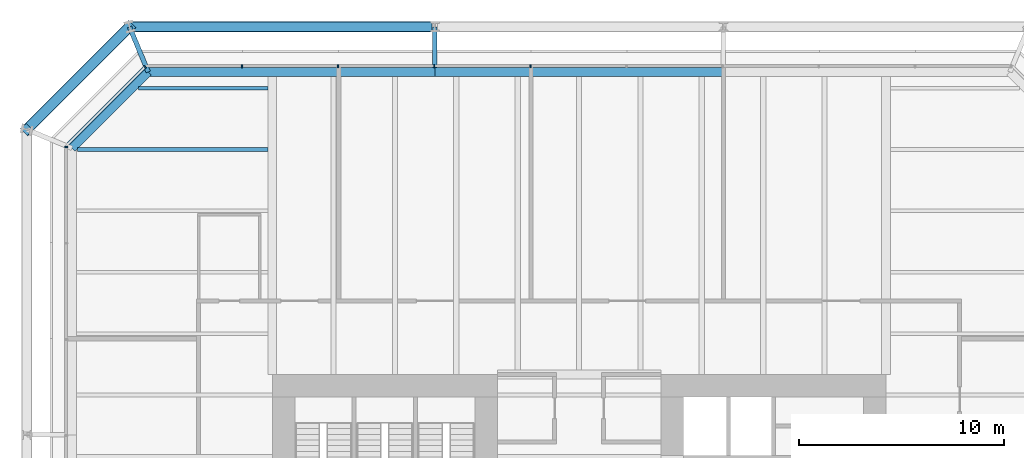
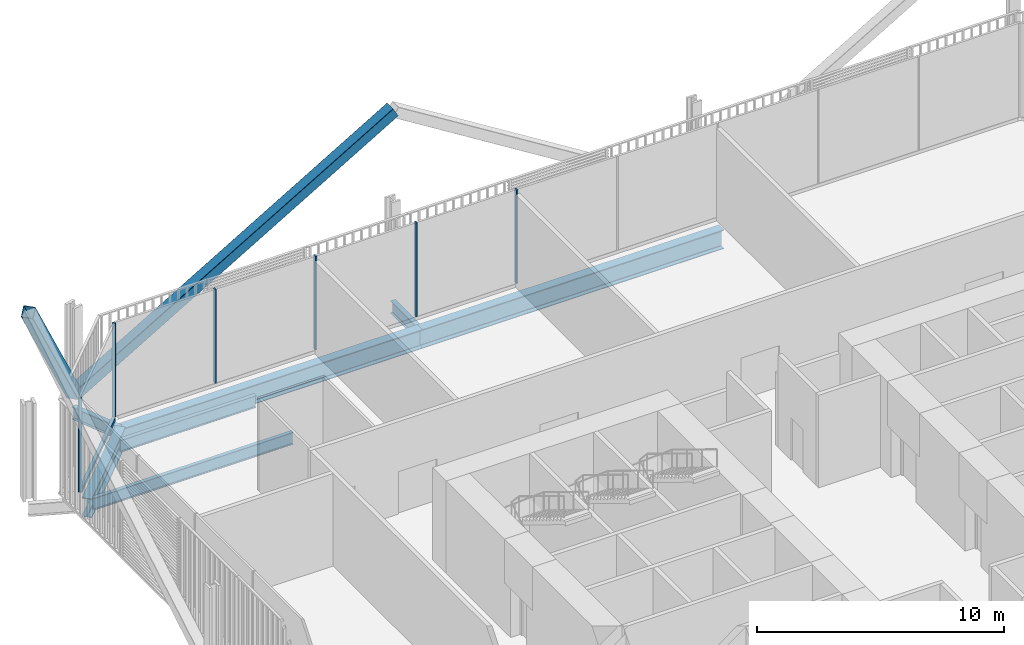
# One storey, part 14 of 22: 9 members, 7 beams, 3 elements without a shape of their own.
"""IFC4 building model written with IfcOpenShell, lengths in metres."""

from ifc_helpers import new_model, si_unit, direction, frame, origin, origin_2d, place, context, subcontext, project, spatial, rectangle, hollow_rectangle, i_section, extrude, material, layer, layer_set, material_profile, profile_set, type_object, element, aggregate, save


model = new_model("IFC4")

# Units and contexts
model_context = context("Model", 3, precision=1e-05, world=origin(), true_north=direction((0.0, 1.0)))
body_context = subcontext(model_context, "Body", "Model", "MODEL_VIEW")
ifc_project = project(units=[si_unit("LENGTHUNIT", "METRE"), si_unit("AREAUNIT", "SQUARE_METRE"), si_unit("VOLUMEUNIT", "CUBIC_METRE"), si_unit("PLANEANGLEUNIT", "RADIAN"), si_unit("MASSUNIT", "GRAM", prefix="KILO")], contexts=[model_context])

# Site, building, storey
site_placement = place(None, origin())
site = spatial("IfcSite", under=ifc_project, at=site_placement, CompositionType="ELEMENT")
building_placement = place(site_placement, origin())
building = spatial("IfcBuilding", under=site, at=building_placement, Name="Millrace Tower", CompositionType="ELEMENT")
storey_placement = place(building_placement, frame((0.0, 0.0, 35.300048828125)))
storey = spatial("IfcBuildingStorey", under=building, at=storey_placement, Name="L08", CompositionType="ELEMENT", Elevation=35.300048828125)

# Curtain wall, members
ifc_material_1 = material(Name="Aluminium and glass", Category="aluminium")
ifc_layer = layer(ifc_material_1, 0.14990234375)
ifc_layer_set = layer_set([ifc_layer], Name="Aluminium and glass")
curtain_wall_type = type_object("IfcCurtainWallType", Name="CW-2 data hall insulated curtain wall", PredefinedType="NOTDEFINED", material=ifc_layer_set)
placement = place(storey_placement, origin())
curtain_wall_1 = element("IfcCurtainWall", 1, at=placement, inside=storey, type_object=curtain_wall_type, Name="Curtain wall A-F06 L08", PredefinedType="NOTDEFINED")
ifc_material_2 = material(Name="Aluminium", Category="aluminium")
ifc_material_profile_1 = material_profile(ifc_material_2, rectangle(XDim=0.06494140625, YDim=0.14990234375, at=origin_2d()))
ifc_profile_set_1 = profile_set([ifc_material_profile_1], Name="Aluminium")
member_type_1 = type_object("IfcMemberType", Name="CW-2 data hall insulated curtain wall mullion", PredefinedType="MULLION", material=ifc_profile_set_1)
member_1_placement = place(storey_placement, frame((-2.382568359375, 25.074951171875, 0.159912109375), z_axis=(0.0, 0.0, 1.0), x_axis=(-1.0, 0.0, 0.0)))
member_1 = element("IfcMember", 2, at=member_1_placement, type_object=member_type_1, Name="CW2 mullion A-F06.6", PredefinedType="MULLION", context=body_context, shape_type="SweptSolid", body=[
    extrude(rectangle(XDim=0.06494140625, YDim=0.14990234375, at=origin_2d()), origin(), (0.0, 0.0, 1.0), 4.64013671875),
])
member_2_placement = place(storey_placement, frame((-7.08251953125, 25.074951171875, 0.159912109375), z_axis=(0.0, 0.0, 1.0), x_axis=(-1.0, 0.0, 0.0)))
member_2 = element("IfcMember", 3, at=member_2_placement, type_object=member_type_1, Name="CW2 mullion A-F06.7", PredefinedType="MULLION", context=body_context, shape_type="SweptSolid", body=[
    extrude(rectangle(XDim=0.06494140625, YDim=0.14990234375, at=origin_2d()), origin(), (0.0, 0.0, 1.0), 4.64013671875),
])
member_3_placement = place(storey_placement, frame((-11.782470703125, 25.074951171875, 0.159912109375), z_axis=(0.0, 0.0, 1.0), x_axis=(-1.0, 0.0, 0.0)))
member_3 = element("IfcMember", 4, at=member_3_placement, type_object=member_type_1, Name="CW2 mullion A-F06.8", PredefinedType="MULLION", context=body_context, shape_type="SweptSolid", body=[
    extrude(rectangle(XDim=0.06494140625, YDim=0.14990234375, at=origin_2d()), origin(), (0.0, 0.0, 1.0), 4.64013671875),
])
member_4_placement = place(storey_placement, frame((-16.482421875, 25.074951171875, 0.159912109375), z_axis=(0.0, 0.0, 1.0), x_axis=(-1.0, 0.0, 0.0)))
member_4 = element("IfcMember", 5, at=member_4_placement, type_object=member_type_1, Name="CW2 mullion A-F06.9", PredefinedType="MULLION", context=body_context, shape_type="SweptSolid", body=[
    extrude(rectangle(XDim=0.06494140625, YDim=0.14990234375, at=origin_2d()), origin(), (0.0, 0.0, 1.0), 4.64013671875),
])
aggregate(curtain_wall_1, [member_1, member_2, member_3, member_4])

# Curtain wall, member
curtain_wall_2 = element("IfcCurtainWall", 6, at=placement, inside=storey, type_object=curtain_wall_type, Name="Curtain wall A-F07 L08", PredefinedType="NOTDEFINED")
member_5_placement = place(storey_placement, frame((-21.22607421875, 25.030029296875, 0.159912109375), z_axis=(0.0, 0.0, 1.0), x_axis=(-0.707106781187, -0.707106781187, 0.0)))
member_5 = element("IfcMember", 7, at=member_5_placement, type_object=member_type_1, Name="CW2 mullion A-F07.1", PredefinedType="MULLION", context=body_context, shape_type="SweptSolid", body=[
    extrude(rectangle(XDim=0.06494140625, YDim=0.14990234375, at=origin_2d()), origin(), (0.0, 0.0, 1.0), 4.64013671875),
])

curtain_wall_3 = element("IfcCurtainWall", 8, at=placement, inside=storey, type_object=curtain_wall_type, Name="Curtain wall A-F08 L08", PredefinedType="NOTDEFINED")
member_6_placement = place(storey_placement, frame((-25.074951171875, 21.117431640625, 0.159912109375), z_axis=(0.0, 0.0, 1.0), x_axis=(0.0, -1.0, 0.0)))
member_6 = element("IfcMember", 9, at=member_6_placement, type_object=member_type_1, Name="CW2 mullion A-F08.1", PredefinedType="MULLION", context=body_context, shape_type="SweptSolid", body=[
    extrude(rectangle(XDim=0.06494140625, YDim=0.14990234375, at=origin_2d()), origin(), (0.0, 0.0, 1.0), 4.64013671875),
])
aggregate(curtain_wall_3, [member_6])

# Member
ifc_material_3 = material(Name="Aluminium", Category="aluminium")
ifc_material_profile_2 = material_profile(ifc_material_3, rectangle(XDim=0.14990234375, YDim=0.159912109375, at=origin_2d()))
ifc_profile_set_2 = profile_set([ifc_material_profile_2], Name="Aluminium")
member_type_2 = type_object("IfcMemberType", Name="CW-2 data hall insulated curtain wall transom", PredefinedType="USERDEFINED", material=ifc_profile_set_2)
member_7_placement = place(storey_placement, frame((-21.273681640625, 24.982421875, 0.079833984375), z_axis=(-0.707106781187, -0.707106781187, 0.0), x_axis=(0.707106781187, -0.707106781187, 0.0)))
member_7 = element("IfcMember", 10, at=member_7_placement, type_object=member_type_2, Name="CW2 transom A-F07.1", ObjectType="TRANSOM", PredefinedType="USERDEFINED", context=body_context, shape_type="SweptSolid", body=[
    extrude(rectangle(XDim=0.14990234375, YDim=0.159912109375, at=origin_2d()), origin(), (0.0, 0.0, 1.0), 5.244873046875),
])

aggregate(curtain_wall_2, [member_5, member_7])

# Members
ifc_material_4 = material(Name="Steel ASTM A500 Grade C", Category="steel")
ifc_material_profile_3 = material_profile(ifc_material_4, hollow_rectangle(XDim=0.508056640625, YDim=0.508056640625, WallThickness=0.01904296875, InnerFilletRadius=0.009521484375, OuterFilletRadius=0.028564453125, at=origin_2d()))
ifc_profile_set_3 = profile_set([ifc_material_profile_3], Name="Steel ASTM A500 Grade C")
member_type_3 = type_object("IfcMemberType", Name="Exoskeleton brace HSS20x20x3/4", PredefinedType="BRACE", material=ifc_profile_set_3)
member_8_placement = place(storey_placement, frame((-21.978515625, 27.0, 0.39990234375), z_axis=(0.861464835883, 0.0, 0.507817227491), x_axis=(0.0, 1.0, 0.0)))
element("IfcMember", 11, at=member_8_placement, inside=storey, type_object=member_type_3, Name="BRC-A-L08-12", PredefinedType="BRACE", context=body_context, shape_type="SweptSolid", body=[
    extrude(hollow_rectangle(XDim=0.508056640625, YDim=0.508056640625, WallThickness=0.01904296875, InnerFilletRadius=0.009521484375, OuterFilletRadius=0.028564453125, at=origin_2d()), origin(), (0.0, 0.0, 1.0), 17.3291015625),
])
member_9_placement = place(storey_placement, frame((-21.978515625, 27.0, 0.39990234375), z_axis=(-0.444063713793, -0.444063713793, 0.77821259061), x_axis=(0.707106781187, -0.707106781187, 0.0)))
element("IfcMember", 12, at=member_9_placement, inside=storey, type_object=member_type_3, Name="BRC-A-L08-13", PredefinedType="BRACE", context=body_context, shape_type="SweptSolid", body=[
    extrude(hollow_rectangle(XDim=0.508056640625, YDim=0.508056640625, WallThickness=0.01904296875, InnerFilletRadius=0.009521484375, OuterFilletRadius=0.028564453125, at=origin_2d()), origin(), (0.0, 0.0, 1.0), 11.30810546875),
])

# Beams
ifc_material_5 = material(Name="Steel ASTM A992 Grade 50", Category="steel")
ifc_material_profile_4 = material_profile(ifc_material_5, i_section(OverallWidth=0.177978515625, OverallDepth=0.599365234375, WebThickness=0.010009765625, FlangeThickness=0.012939453125, FilletRadius=0.012939453125, at=origin_2d()))
ifc_profile_set_4 = profile_set([ifc_material_profile_4], Name="Steel ASTM A992 Grade 50")
beam_type_1 = type_object("IfcBeamType", Name="Floor beam W24x55", PredefinedType="JOIST", material=ifc_profile_set_4)
beam_1_placement = place(storey_placement, frame((-21.52978515625, 24.0, -0.524658203125), z_axis=(1.0, 0.0, 0.0), x_axis=(0.0, 1.0, 0.0)))
element("IfcBeam", 13, at=beam_1_placement, inside=storey, type_object=beam_type_1, Name="BM-A-L08-S1-S040", PredefinedType="JOIST", context=body_context, shape_type="SweptSolid", body=[
    extrude(i_section(OverallWidth=0.177978515625, OverallDepth=0.599365234375, WebThickness=0.010009765625, FlangeThickness=0.012939453125, FilletRadius=0.012939453125, at=origin_2d()), origin(), (0.0, 0.0, 1.0), 6.317626953125),
])
ifc_material_6 = material(Name="Steel ASTM A992 Grade 50", Category="steel")
ifc_material_profile_5 = material_profile(ifc_material_6, i_section(OverallWidth=0.1787109375, OverallDepth=0.60205078125, WebThickness=0.010986328125, FlangeThickness=0.014892578125, FilletRadius=0.0126953125, at=origin_2d()))
ifc_profile_set_5 = profile_set([ifc_material_profile_5], Name="Steel ASTM A992 Grade 50")
beam_type_2 = type_object("IfcBeamType", Name="Floor beam W24x62", PredefinedType="JOIST", material=ifc_profile_set_5)
beam_2_placement = place(storey_placement, frame((-24.52978515625, 21.0, -0.526123046875), z_axis=(1.0, 0.0, 0.0), x_axis=(0.0, 1.0, 0.0)))
element("IfcBeam", 14, at=beam_2_placement, inside=storey, type_object=beam_type_2, Name="BM-A-L08-S1-S038", PredefinedType="JOIST", context=body_context, shape_type="SweptSolid", body=[
    extrude(i_section(OverallWidth=0.1787109375, OverallDepth=0.60205078125, WebThickness=0.010986328125, FlangeThickness=0.014892578125, FilletRadius=0.0126953125, at=origin_2d()), origin(), (0.0, 0.0, 1.0), 9.317626953125),
])
ifc_material_7 = material(Name="Steel ASTM A992 Grade 50", Category="steel")
ifc_material_profile_6 = material_profile(ifc_material_7, i_section(OverallWidth=0.23046875, OverallDepth=0.6171875, WebThickness=0.01318359375, FlangeThickness=0.022216796875, FilletRadius=0.012939453125, at=origin_2d()))
ifc_profile_set_6 = profile_set([ifc_material_profile_6], Name="Steel ASTM A992 Grade 50")
beam_type_3 = type_object("IfcBeamType", Name="Link beam W24x94", PredefinedType="BEAM", material=ifc_profile_set_6)
beam_3_placement = place(storey_placement, frame((-21.062744140625, 24.7890625, -0.53369140625), z_axis=(-0.382673155247, 0.923883789366, 0.0), x_axis=(-0.923883789366, -0.382673155247, 0.0)))
element("IfcBeam", 15, at=beam_3_placement, inside=storey, type_object=beam_type_3, Name="LNK-A-L08-S1-05", PredefinedType="BEAM", context=body_context, shape_type="SweptSolid", body=[
    extrude(i_section(OverallWidth=0.23046875, OverallDepth=0.6171875, WebThickness=0.01318359375, FlangeThickness=0.022216796875, FilletRadius=0.012939453125, at=origin_2d()), origin(), (0.0, 0.0, 1.0), 2.39306640625),
])
beam_4_placement = place(storey_placement, frame((-7.050048828125, 25.0, -0.53369140625), z_axis=(0.0, 1.0, 0.0), x_axis=(-1.0, 0.0, 0.0)))
element("IfcBeam", 16, at=beam_4_placement, inside=storey, type_object=beam_type_3, Name="LNK-A-L08-S1-06", PredefinedType="BEAM", context=body_context, shape_type="SweptSolid", body=[
    extrude(i_section(OverallWidth=0.23046875, OverallDepth=0.6171875, WebThickness=0.01318359375, FlangeThickness=0.022216796875, FilletRadius=0.012939453125, at=origin_2d()), origin(), (0.0, 0.0, 1.0), 2.0),
])
ifc_material_8 = material(Name="Steel ASTM A992 Grade 50", Category="steel")
ifc_material_profile_7 = material_profile(ifc_material_8, i_section(OverallWidth=0.421630859375, OverallDepth=0.937255859375, WebThickness=0.021240234375, FlangeThickness=0.03662109375, FilletRadius=0.024169921875, at=origin_2d()))
ifc_profile_set_7 = profile_set([ifc_material_profile_7], Name="Steel ASTM A992 Grade 50")
beam_type_4 = type_object("IfcBeamType", Name="Ring beam medium span W36x262", PredefinedType="SPANDREL", material=ifc_profile_set_7)
beam_5_placement = place(storey_placement, frame((-21.062744140625, 24.7890625, -0.693603515625), z_axis=(1.0, 0.0, 0.0), x_axis=(0.0, 1.0, 0.0)))
element("IfcBeam", 17, at=beam_5_placement, inside=storey, type_object=beam_type_4, Name="RNG-A-L08-S1-05", PredefinedType="SPANDREL", context=body_context, shape_type="SweptSolid", body=[
    extrude(i_section(OverallWidth=0.421630859375, OverallDepth=0.937255859375, WebThickness=0.021240234375, FlangeThickness=0.03662109375, FilletRadius=0.024169921875, at=origin_2d()), origin(), (0.0, 0.0, 1.0), 14.0126953125),
])
beam_6_placement = place(storey_placement, frame((-7.050048828125, 24.7890625, -0.693603515625), z_axis=(1.0, 0.0, 0.0), x_axis=(0.0, 1.0, 0.0)))
element("IfcBeam", 18, at=beam_6_placement, inside=storey, type_object=beam_type_4, Name="RNG-A-L08-S1-06", PredefinedType="SPANDREL", context=body_context, shape_type="SweptSolid", body=[
    extrude(i_section(OverallWidth=0.421630859375, OverallDepth=0.937255859375, WebThickness=0.021240234375, FlangeThickness=0.03662109375, FilletRadius=0.024169921875, at=origin_2d()), origin(), (0.0, 0.0, 1.0), 14.10009765625),
])
ifc_material_9 = material(Name="Steel ASTM A992 Grade 50", Category="steel")
ifc_material_profile_8 = material_profile(ifc_material_9, i_section(OverallWidth=0.421630859375, OverallDepth=0.937255859375, WebThickness=0.021240234375, FlangeThickness=0.03662109375, FilletRadius=0.024169921875, at=origin_2d()))
ifc_profile_set_8 = profile_set([ifc_material_profile_8], Name="Steel ASTM A992 Grade 50")
beam_type_5 = type_object("IfcBeamType", Name="Ring beam short span W36x262", PredefinedType="SPANDREL", material=ifc_profile_set_8)
beam_7_placement = place(storey_placement, frame((-24.7890625, 21.062744140625, -0.693603515625), z_axis=(0.707106781187, 0.707106781187, 0.0), x_axis=(-0.707106781187, 0.707106781187, 0.0)))
element("IfcBeam", 19, at=beam_7_placement, inside=storey, type_object=beam_type_5, Name="RNG-A-L08-S1-04", PredefinedType="SPANDREL", context=body_context, shape_type="SweptSolid", body=[
    extrude(i_section(OverallWidth=0.421630859375, OverallDepth=0.937255859375, WebThickness=0.021240234375, FlangeThickness=0.03662109375, FilletRadius=0.024169921875, at=origin_2d()), origin(), (0.0, 0.0, 1.0), 5.269775390625),
])

save(model, "model.ifc")
